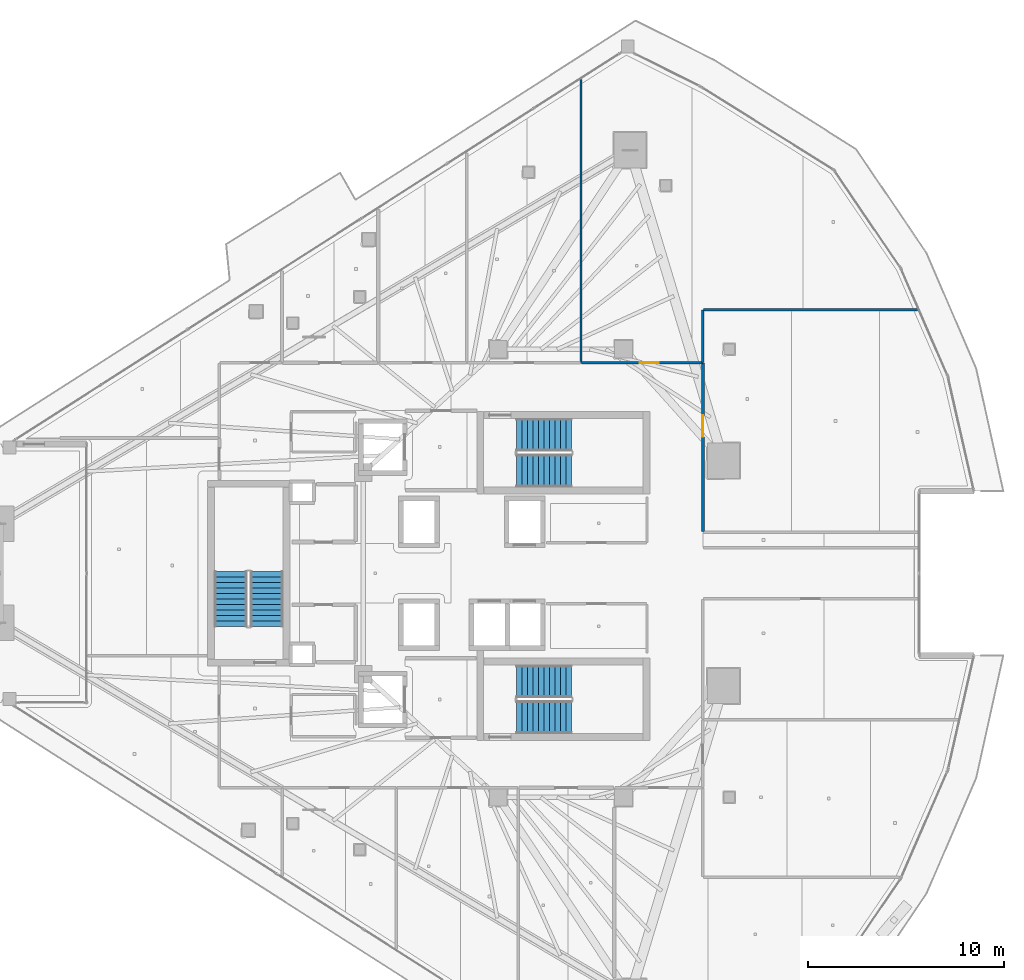
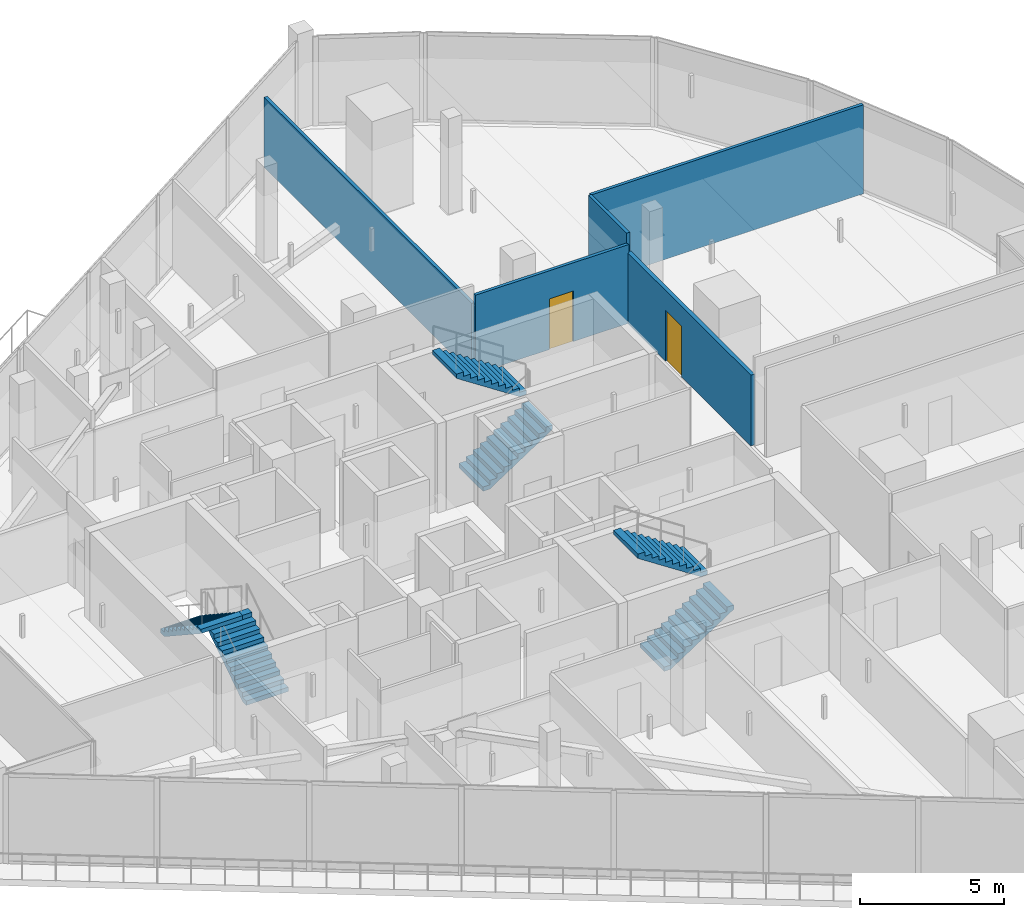
# One storey, part 31 of 40: 6 stair flights, 5 walls, 2 doors, 2 openings, 3 elements without a shape of their own.
"""IFC4 building model written with IfcOpenShell, lengths in metres."""

from ifc_helpers import new_model, si_unit, direction, frame, frame_2d, origin, place, context, subcontext, project, spatial, polyline, rectangle, outline, extrude, material, layer, layer_set, type_object, element, fill, aggregate, save


model = new_model("IFC4")

# Units and contexts
model_context = context("Model", 3, precision=1e-05, world=origin(), true_north=direction((0.0, 1.0)))
body_context = subcontext(model_context, "Body", "Model", "MODEL_VIEW")
ifc_project = project(units=[si_unit("LENGTHUNIT", "METRE"), si_unit("AREAUNIT", "SQUARE_METRE"), si_unit("VOLUMEUNIT", "CUBIC_METRE"), si_unit("PLANEANGLEUNIT", "RADIAN"), si_unit("MASSUNIT", "GRAM", prefix="KILO")], contexts=[model_context])

# Site, building, storey
site_placement = place(None, origin())
site = spatial("IfcSite", under=ifc_project, at=site_placement, CompositionType="ELEMENT")
building_placement = place(site_placement, origin())
building = spatial("IfcBuilding", under=site, at=building_placement, Name="Qorvath Tower", CompositionType="ELEMENT")
storey_placement = place(building_placement, frame((0.0, 0.0, 225.300048828125)))
storey = spatial("IfcBuildingStorey", under=building, at=storey_placement, Name="L52", CompositionType="ELEMENT", Elevation=225.300048828125)

# Wall, opening, door
ifc_material_1 = material(Name="Double acoustic gypsum board on steel studs", Category="steel")
ifc_layer_1 = layer(ifc_material_1, 0.159912109375)
ifc_layer_set_1 = layer_set([ifc_layer_1], Name="IW-ACOUSTIC-160")
wall_type_1 = type_object("IfcWallType", Name="IW-ACOUSTIC-160", PredefinedType="PARTITIONING", material=ifc_layer_set_1)
wall_1_placement = place(storey_placement, frame((-13.14208984375, 10.75830078125, 0.0), z_axis=(0.0, 0.0, 1.0), x_axis=(0.0, -1.0, 0.0)))
wall_1 = element("IfcWall", 1, at=wall_1_placement, inside=storey, type_object=wall_type_1, Name="Interior Partition IW-T1-L52-050", PredefinedType="PARTITIONING", context=body_context, shape_type="SweptSolid", body=[
    extrude(rectangle(XDim=8.6298828125, YDim=0.159912109375, at=frame_2d((4.31494140625, 0.0))), origin(), (0.0, 0.0, 1.0), 3.0),
])
opening_1_placement = place(wall_1_placement, frame((2.689208984375, 0.0, 0.0)))
opening_1 = element("IfcOpeningElement", 2, at=opening_1_placement, cuts=wall_1, Name="Opening D-T1-L52-17", PredefinedType="OPENING", context=body_context, shape_type="SweptSolid", body=[
    extrude(rectangle(XDim=1.10009765625, YDim=2.14990234375, at=frame_2d((0.550048828125, 1.074951171875))), frame((0.0, 0.08984375, 0.0), z_axis=(0.0, -1.0, 0.0), x_axis=(1.0, 0.0, 0.0)), (0.0, 0.0, 1.0), 0.179931640625),
])
ifc_material_2 = material(Name="Anodised aluminium acoustic framed glass", Category="aluminium")
door_type_1 = type_object("IfcDoorType", Name="D-03", OperationType="NOTDEFINED", PredefinedType="DOOR", material=ifc_material_2)
door_1_placement = place(opening_1_placement, origin())
door_1 = element("IfcDoor", 3, at=door_1_placement, inside=storey, type_object=door_type_1, Name="L52-11 Enclosed Conference Suite Door D-T1-L52-17", OperationType="SINGLE_SWING_RIGHT", OverallHeight=2.14990234375, OverallWidth=1.10009765625, PredefinedType="DOOR", context=body_context, shape_type="SweptSolid", body=[
    extrude(rectangle(XDim=1.10009765625, YDim=2.14990234375, at=frame_2d((0.550048828125, 1.074951171875))), frame((0.0, 0.02490234375, 0.0), z_axis=(0.0, -1.0, 0.0), x_axis=(1.0, 0.0, 0.0)), (0.0, 0.0, 1.0), 0.050048828125),
])
fill(opening_1, door_1)

# Wall
ifc_material_3 = material(Name="Gypsum board on metal studs with mineral wool", Category="gypsum")
ifc_layer_2 = layer(ifc_material_3, 0.125)
ifc_layer_set_2 = layer_set([ifc_layer_2], Name="IW-PART-125")
wall_type_2 = type_object("IfcWallType", Name="IW-PART-125", PredefinedType="PARTITIONING", material=ifc_layer_set_2)
wall_2_placement = place(storey_placement, frame((-19.3740234375, 10.783203125, 0.0), z_axis=(0.0, 0.0, 1.0), x_axis=(0.0, 1.0, 0.0)))
element("IfcWall", 4, at=wall_2_placement, inside=storey, type_object=wall_type_2, Name="Interior Partition IW-T1-L52-029", PredefinedType="PARTITIONING", context=body_context, shape_type="SweptSolid", body=[
    extrude(rectangle(XDim=14.4423828125, YDim=0.125, at=frame_2d((7.22119140625, 0.0))), origin(), (0.0, 0.0, 1.0), 2.97705078125),
])

# Wall, opening, door
wall_3_placement = place(storey_placement, frame((-19.341064453125, 10.758056640625, 0.0), z_axis=(0.0, 0.0, 1.0), x_axis=(1.0, 0.0, 0.0)))
wall_3 = element("IfcWall", 5, at=wall_3_placement, inside=storey, type_object=wall_type_2, Name="Interior Partition IW-T1-L52-030", PredefinedType="PARTITIONING", context=body_context, shape_type="SweptSolid", body=[
    extrude(rectangle(XDim=6.166259765625, YDim=0.125, at=frame_2d((3.0830078125, 0.0))), origin(), (0.0, 0.0, 1.0), 3.34423828125),
])
opening_2_placement = place(wall_3_placement, frame((2.980712890625, 0.0, 0.0)))
opening_2 = element("IfcOpeningElement", 6, at=opening_2_placement, cuts=wall_3, Name="Opening D-T1-L52-10", PredefinedType="OPENING", context=body_context, shape_type="SweptSolid", body=[
    extrude(rectangle(XDim=0.949951171875, YDim=2.14990234375, at=frame_2d((0.47509765625, 1.074951171875))), frame((0.0, 0.072509765625, 0.0), z_axis=(0.0, -1.0, 0.0), x_axis=(1.0, 0.0, 0.0)), (0.0, 0.0, 1.0), 0.14501953125),
])
ifc_material_4 = material(Name="Solid-core American white oak veneer", Category="wood")
door_type_2 = type_object("IfcDoorType", Name="D-01", OperationType="NOTDEFINED", PredefinedType="DOOR", material=ifc_material_4)
door_2_placement = place(opening_2_placement, origin())
door_2 = element("IfcDoor", 7, at=door_2_placement, inside=storey, type_object=door_type_2, Name="L52-04 Design Pin-Up Atelier Door D-T1-L52-10", OperationType="SINGLE_SWING_LEFT", OverallHeight=2.14990234375, OverallWidth=0.949951171875, PredefinedType="DOOR", context=body_context, shape_type="SweptSolid", body=[
    extrude(rectangle(XDim=0.949951171875, YDim=2.14990234375, at=frame_2d((0.47509765625, 1.074951171875))), frame((0.0, 0.02490234375, 0.0), z_axis=(0.0, -1.0, 0.0), x_axis=(1.0, 0.0, 0.0)), (0.0, 0.0, 1.0), 0.050048828125),
])
fill(opening_2, door_2)

# Walls
wall_4_placement = place(storey_placement, frame((-13.14990234375, 13.44677734375, 0.0), z_axis=(0.0, 0.0, 1.0), x_axis=(0.0, -1.0, 0.0)))
element("IfcWall", 8, at=wall_4_placement, inside=storey, type_object=wall_type_2, Name="Interior Partition IW-T1-L52-031", PredefinedType="PARTITIONING", context=body_context, shape_type="SweptSolid", body=[
    extrude(rectangle(XDim=2.66357421875, YDim=0.125, at=frame_2d((1.331787109375, 0.0))), origin(), (0.0, 0.0, 1.0), 3.780029296875),
])
wall_5_placement = place(storey_placement, frame((-13.125, 13.4716796875, 0.0), z_axis=(0.0, 0.0, 1.0), x_axis=(0.999999760561, 0.00069201046, 0.0)))
element("IfcWall", 9, at=wall_5_placement, inside=storey, type_object=wall_type_2, Name="Interior Partition IW-T1-L52-032", PredefinedType="PARTITIONING", context=body_context, shape_type="SweptSolid", body=[
    extrude(rectangle(XDim=10.936767578125, YDim=0.125, at=frame_2d((5.46826171875, 0.0))), origin(), (0.0, 0.0, 1.0), 3.780029296875),
])

# Stair, stair flights
ifc_material_5 = material(Name="Concrete C50/60", Category="concrete")
stair_type = type_object("IfcStairType", Name="ST-H405", PredefinedType="HALF_TURN_STAIR", material=ifc_material_5)
stair_1_placement = place(storey_placement, origin())
stair_1 = element("IfcStair", 10, at=stair_1_placement, inside=storey, type_object=stair_type, Name="L52 Tower Exit Stair 1", PredefinedType="HALF_TURN_STAIR")
ifc_material_6 = material(Name="Concrete C50/60", Category="concrete")
ifc_layer_3 = layer(ifc_material_6, 0.14990234375)
ifc_layer_set_3 = layer_set([ifc_layer_3], Name="SF-H405")
stair_flight_type = type_object("IfcStairFlightType", Name="SF-H405", PredefinedType="STRAIGHT", material=ifc_layer_set_3)
stair_flight_1_placement = place(storey_placement, frame((-22.669921875, 5.239990234375, 0.0), z_axis=(0.0, 0.0, 1.0), x_axis=(1.0, 0.0, 0.0)))
stair_flight_1 = element("IfcStairFlight", 11, at=stair_flight_1_placement, type_object=stair_flight_type, Name="TS1 flight 1", NumberOfRisers=11, NumberOfTreads=10, PredefinedType="STRAIGHT", RiserHeight=0.184090909, TreadLength=0.28, context=body_context, shape_type="SweptSolid", body=[
    extrude(outline(polyline([(0.0, 0.0), (0.0, 0.18408203125), (0.280029296875, 0.18408203125), (0.280029296875, 0.3681640625), (0.56005859375, 0.3681640625), (0.56005859375, 0.55224609375), (0.840087890625, 0.55224609375), (0.840087890625, 0.736328125), (1.1201171875, 0.736328125), (1.1201171875, 0.92041015625), (1.39990234375, 0.92041015625), (1.39990234375, 1.1044921875), (1.679931640625, 1.1044921875), (1.679931640625, 1.28857421875), (1.9599609375, 1.28857421875), (1.9599609375, 1.47265625), (2.239990234375, 1.47265625), (2.239990234375, 1.65673828125), (2.52001953125, 1.65673828125), (2.52001953125, 1.8408203125), (2.800048828125, 1.8408203125), (2.800048828125, 2.02490234375), (2.800048828125, 1.66162109375), (0.27294921875, 0.0), (0.0, 0.0)])), frame((0.0, 0.83984375, 0.0), z_axis=(0.0, -1.0, 0.0), x_axis=(1.0, 0.0, 0.0)), (0.0, 0.0, 1.0), 1.679931640625),
])
stair_flight_2_placement = place(storey_placement, frame((-19.8701171875, 7.070068359375, 2.02490234375), z_axis=(0.0, 0.0, 1.0), x_axis=(-1.0, 0.0, 0.0)))
stair_flight_2 = element("IfcStairFlight", 12, at=stair_flight_2_placement, type_object=stair_flight_type, Name="TS1 flight 2", NumberOfRisers=11, NumberOfTreads=10, PredefinedType="STRAIGHT", RiserHeight=0.184090909, TreadLength=0.28, context=body_context, shape_type="SweptSolid", body=[
    extrude(outline(polyline([(0.0, 0.0), (0.0, 0.18408203125), (0.280029296875, 0.18408203125), (0.280029296875, 0.3681640625), (0.56005859375, 0.3681640625), (0.56005859375, 0.55224609375), (0.840087890625, 0.55224609375), (0.840087890625, 0.736328125), (1.1201171875, 0.736328125), (1.1201171875, 0.92041015625), (1.39990234375, 0.92041015625), (1.39990234375, 1.1044921875), (1.679931640625, 1.1044921875), (1.679931640625, 1.28857421875), (1.9599609375, 1.28857421875), (1.9599609375, 1.47265625), (2.239990234375, 1.47265625), (2.239990234375, 1.65673828125), (2.52001953125, 1.65673828125), (2.52001953125, 1.8408203125), (2.800048828125, 1.8408203125), (2.800048828125, 2.02490234375), (2.800048828125, 1.66162109375), (0.27294921875, 0.0), (0.0, 0.0)])), frame((0.0, 0.83984375, 0.0), z_axis=(0.0, -1.0, 0.0), x_axis=(1.0, 0.0, 0.0)), (0.0, 0.0, 1.0), 1.679931640625),
])
aggregate(stair_1, [stair_flight_1, stair_flight_2])

stair_2_placement = place(storey_placement, origin())
stair_2 = element("IfcStair", 13, at=stair_2_placement, inside=storey, type_object=stair_type, Name="L52 Tower Exit Stair 2", PredefinedType="HALF_TURN_STAIR")
stair_flight_3_placement = place(storey_placement, frame((-22.669921875, -7.360107421875, 0.0), z_axis=(0.0, 0.0, 1.0), x_axis=(1.0, 0.0, 0.0)))
stair_flight_3 = element("IfcStairFlight", 14, at=stair_flight_3_placement, type_object=stair_flight_type, Name="TS2 flight 1", NumberOfRisers=11, NumberOfTreads=10, PredefinedType="STRAIGHT", RiserHeight=0.184090909, TreadLength=0.28, context=body_context, shape_type="SweptSolid", body=[
    extrude(outline(polyline([(0.0, 0.0), (0.0, 0.18408203125), (0.280029296875, 0.18408203125), (0.280029296875, 0.3681640625), (0.56005859375, 0.3681640625), (0.56005859375, 0.55224609375), (0.840087890625, 0.55224609375), (0.840087890625, 0.736328125), (1.1201171875, 0.736328125), (1.1201171875, 0.92041015625), (1.39990234375, 0.92041015625), (1.39990234375, 1.1044921875), (1.679931640625, 1.1044921875), (1.679931640625, 1.28857421875), (1.9599609375, 1.28857421875), (1.9599609375, 1.47265625), (2.239990234375, 1.47265625), (2.239990234375, 1.65673828125), (2.52001953125, 1.65673828125), (2.52001953125, 1.8408203125), (2.800048828125, 1.8408203125), (2.800048828125, 2.02490234375), (2.800048828125, 1.66162109375), (0.27294921875, 0.0), (0.0, 0.0)])), frame((0.0, 0.83984375, 0.0), z_axis=(0.0, -1.0, 0.0), x_axis=(1.0, 0.0, 0.0)), (0.0, 0.0, 1.0), 1.679931640625),
])
stair_flight_4_placement = place(storey_placement, frame((-19.8701171875, -5.530029296875, 2.02490234375), z_axis=(0.0, 0.0, 1.0), x_axis=(-1.0, 0.0, 0.0)))
stair_flight_4 = element("IfcStairFlight", 15, at=stair_flight_4_placement, type_object=stair_flight_type, Name="TS2 flight 2", NumberOfRisers=11, NumberOfTreads=10, PredefinedType="STRAIGHT", RiserHeight=0.184090909, TreadLength=0.28, context=body_context, shape_type="SweptSolid", body=[
    extrude(outline(polyline([(0.0, 0.0), (0.0, 0.18408203125), (0.280029296875, 0.18408203125), (0.280029296875, 0.3681640625), (0.56005859375, 0.3681640625), (0.56005859375, 0.55224609375), (0.840087890625, 0.55224609375), (0.840087890625, 0.736328125), (1.1201171875, 0.736328125), (1.1201171875, 0.92041015625), (1.39990234375, 0.92041015625), (1.39990234375, 1.1044921875), (1.679931640625, 1.1044921875), (1.679931640625, 1.28857421875), (1.9599609375, 1.28857421875), (1.9599609375, 1.47265625), (2.239990234375, 1.47265625), (2.239990234375, 1.65673828125), (2.52001953125, 1.65673828125), (2.52001953125, 1.8408203125), (2.800048828125, 1.8408203125), (2.800048828125, 2.02490234375), (2.800048828125, 1.66162109375), (0.27294921875, 0.0), (0.0, 0.0)])), frame((0.0, 0.83984375, 0.0), z_axis=(0.0, -1.0, 0.0), x_axis=(1.0, 0.0, 0.0)), (0.0, 0.0, 1.0), 1.679931640625),
])
aggregate(stair_2, [stair_flight_3, stair_flight_4])

stair_3_placement = place(storey_placement, origin())
stair_3 = element("IfcStair", 16, at=stair_3_placement, inside=storey, type_object=stair_type, Name="L52 Tower Exit Stair 3", PredefinedType="HALF_TURN_STAIR")
stair_flight_5_placement = place(storey_placement, frame((-35.43994140625, -2.719970703125, 0.0), z_axis=(0.0, 0.0, 1.0), x_axis=(0.0, 1.0, 0.0)))
stair_flight_5 = element("IfcStairFlight", 17, at=stair_flight_5_placement, type_object=stair_flight_type, Name="TS3 flight 1", NumberOfRisers=11, NumberOfTreads=10, PredefinedType="STRAIGHT", RiserHeight=0.184090909, TreadLength=0.28, context=body_context, shape_type="SweptSolid", body=[
    extrude(outline(polyline([(0.0, 0.0), (0.0, 0.18408203125), (0.280029296875, 0.18408203125), (0.280029296875, 0.3681640625), (0.56005859375, 0.3681640625), (0.56005859375, 0.55224609375), (0.840087890625, 0.55224609375), (0.840087890625, 0.736328125), (1.1201171875, 0.736328125), (1.1201171875, 0.92041015625), (1.39990234375, 0.92041015625), (1.39990234375, 1.1044921875), (1.679931640625, 1.1044921875), (1.679931640625, 1.28857421875), (1.9599609375, 1.28857421875), (1.9599609375, 1.47265625), (2.239990234375, 1.47265625), (2.239990234375, 1.65673828125), (2.52001953125, 1.65673828125), (2.52001953125, 1.8408203125), (2.800048828125, 1.8408203125), (2.800048828125, 2.02490234375), (2.800048828125, 1.66162109375), (0.27294921875, 0.0), (0.0, 0.0)])), frame((0.0, 0.83984375, 0.0), z_axis=(0.0, -1.0, 0.0), x_axis=(1.0, 0.0, 0.0)), (0.0, 0.0, 1.0), 1.679931640625),
])
stair_flight_6_placement = place(storey_placement, frame((-37.27001953125, 0.080078125, 2.02490234375), z_axis=(0.0, 0.0, 1.0), x_axis=(0.0, -1.0, 0.0)))
stair_flight_6 = element("IfcStairFlight", 18, at=stair_flight_6_placement, type_object=stair_flight_type, Name="TS3 flight 2", NumberOfRisers=11, NumberOfTreads=10, PredefinedType="STRAIGHT", RiserHeight=0.184090909, TreadLength=0.28, context=body_context, shape_type="SweptSolid", body=[
    extrude(outline(polyline([(0.0, 0.0), (0.0, 0.18408203125), (0.280029296875, 0.18408203125), (0.280029296875, 0.3681640625), (0.56005859375, 0.3681640625), (0.56005859375, 0.55224609375), (0.840087890625, 0.55224609375), (0.840087890625, 0.736328125), (1.1201171875, 0.736328125), (1.1201171875, 0.92041015625), (1.39990234375, 0.92041015625), (1.39990234375, 1.1044921875), (1.679931640625, 1.1044921875), (1.679931640625, 1.28857421875), (1.9599609375, 1.28857421875), (1.9599609375, 1.47265625), (2.239990234375, 1.47265625), (2.239990234375, 1.65673828125), (2.52001953125, 1.65673828125), (2.52001953125, 1.8408203125), (2.800048828125, 1.8408203125), (2.800048828125, 2.02490234375), (2.800048828125, 1.66162109375), (0.27294921875, 0.0), (0.0, 0.0)])), frame((0.0, 0.83984375, 0.0), z_axis=(0.0, -1.0, 0.0), x_axis=(1.0, 0.0, 0.0)), (0.0, 0.0, 1.0), 1.679931640625),
])
aggregate(stair_3, [stair_flight_5, stair_flight_6])

save(model, "model.ifc")
